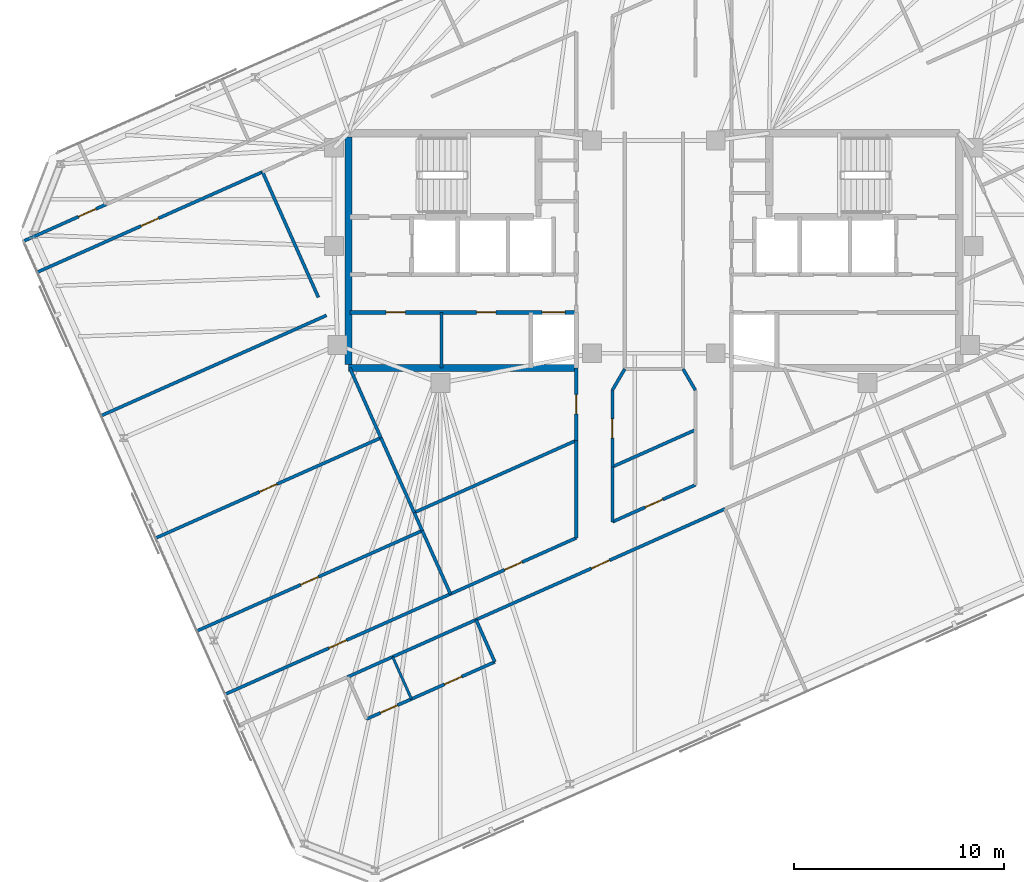
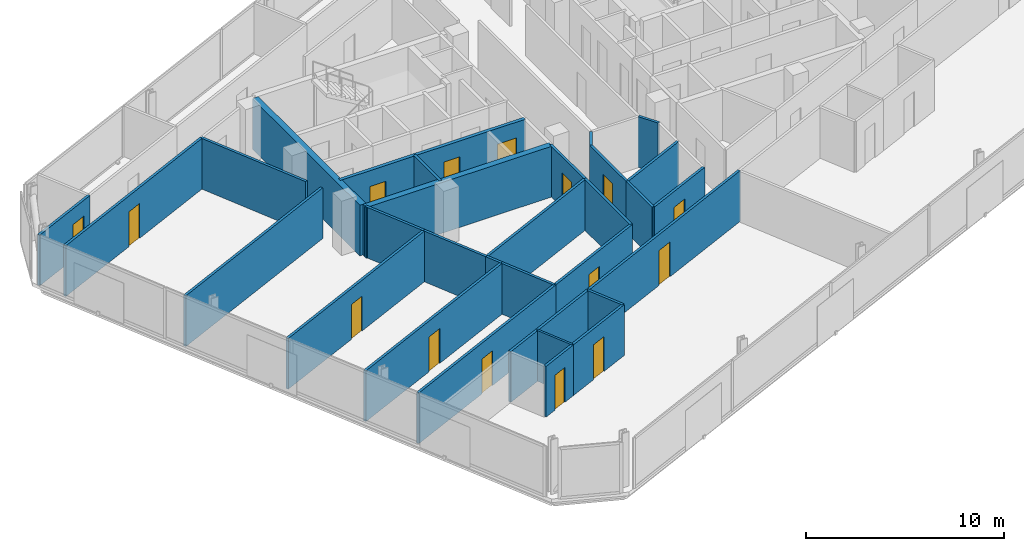
# One storey, part 13 of 18: 32 walls, 15 doors, 15 openings.
"""IFC4 building model written with IfcOpenShell, lengths in metres."""

from ifc_helpers import new_model, si_unit, direction, frame, frame_2d, origin, place, context, subcontext, project, spatial, rectangle, extrude, material, layer, layer_set, type_object, element, fill, save


model = new_model("IFC4")

# Units and contexts
model_context = context("Model", 3, precision=1e-05, world=origin(), true_north=direction((0.0, 1.0)))
body_context = subcontext(model_context, "Body", "Model", "MODEL_VIEW")
ifc_project = project(units=[si_unit("LENGTHUNIT", "METRE"), si_unit("AREAUNIT", "SQUARE_METRE"), si_unit("VOLUMEUNIT", "CUBIC_METRE"), si_unit("PLANEANGLEUNIT", "RADIAN"), si_unit("MASSUNIT", "GRAM", prefix="KILO")], contexts=[model_context])

# Site, building, storey
site_placement = place(None, origin())
site = spatial("IfcSite", under=ifc_project, at=site_placement, CompositionType="ELEMENT")
building_placement = place(site_placement, origin())
building = spatial("IfcBuilding", under=site, at=building_placement, Name="Menara Jurai Vektor", CompositionType="ELEMENT")
storey_placement = place(building_placement, frame((0.0, 0.0, 285.25)))
storey = spatial("IfcBuildingStorey", under=building, at=storey_placement, Name="L76", CompositionType="ELEMENT", Elevation=285.25)

# Wall
ifc_material_1 = material(Name="Gypsum Fireboard Partition", Category="gypsum")
ifc_layer_1 = layer(ifc_material_1, 0.14990234375)
ifc_layer_set_1 = layer_set([ifc_layer_1], Name="Gypsum Fireboard Partition")
wall_type_1 = type_object("IfcWallType", Name="INT-WALL-CORR-150", PredefinedType="PARTITIONING", material=ifc_layer_set_1)
wall_1_placement = place(storey_placement, frame((-10.1201171875, -5.60009765625, 0.0), z_axis=(0.0, 0.0, 1.0), x_axis=(0.0, 1.0, 0.0)))
element("IfcWall", 1, at=wall_1_placement, inside=storey, type_object=wall_type_1, Name="Interior Wall IW-150 L76", PredefinedType="PARTITIONING", context=body_context, shape_type="SweptSolid", body=[
    extrude(rectangle(XDim=2.650146484375, YDim=0.14990234375, at=frame_2d((1.3251953125, 0.0))), origin(), (0.0, 0.0, 1.0), 3.125),
])

# Wall, opening, door
wall_2_placement = place(storey_placement, frame((-8.481201171875, -17.605224609375, 0.0), z_axis=(0.0, 0.0, 1.0), x_axis=(0.913546352883, 0.406734632328, 0.0)))
wall_2 = element("IfcWall", 2, at=wall_2_placement, inside=storey, type_object=wall_type_1, Name="Interior Wall IW-150 L76", PredefinedType="PARTITIONING", context=body_context, shape_type="SweptSolid", body=[
    extrude(rectangle(XDim=12.992919921875, YDim=0.14990234375, at=frame_2d((6.49658203125, 0.0))), origin(), (0.0, 0.0, 1.0), 3.125),
])
opening_1_placement = place(wall_2_placement, frame((6.021484375, 0.0, 0.0)))
opening_1 = element("IfcOpeningElement", 3, at=opening_1_placement, cuts=wall_2, Name="Opening D76-13", PredefinedType="OPENING", context=body_context, shape_type="SweptSolid", body=[
    extrude(rectangle(XDim=0.949951171875, YDim=2.14990234375, at=frame_2d((0.47509765625, 1.074951171875))), frame((0.0, 0.0849609375, 0.0), z_axis=(0.0, -1.0, 0.0), x_axis=(1.0, 0.0, 0.0)), (0.0, 0.0, 1.0), 0.169921875),
])
ifc_material_2 = material(Name="Solid Core Timber Fire Door", Category="wood")
door_type_1 = type_object("IfcDoorType", Name="DR-ENTRY-950", OperationType="NOTDEFINED", PredefinedType="DOOR", material=ifc_material_2)
door_1_placement = place(opening_1_placement, origin())
door_1 = element("IfcDoor", 4, at=door_1_placement, inside=storey, type_object=door_type_1, Name="Interior Door D76-13", OperationType="SINGLE_SWING_LEFT", OverallHeight=2.14990234375, OverallWidth=0.949951171875, PredefinedType="DOOR", context=body_context, shape_type="SweptSolid", body=[
    extrude(rectangle(XDim=0.949951171875, YDim=2.14990234375, at=frame_2d((0.47509765625, 1.074951171875))), frame((0.0, 0.02490234375, 0.0), z_axis=(0.0, -1.0, 0.0), x_axis=(1.0, 0.0, 0.0)), (0.0, 0.0, 1.0), 0.050048828125),
])
fill(opening_1, door_1)

# Walls
wall_3_placement = place(storey_placement, frame((-14.601806640625, -20.33056640625, 0.0), z_axis=(0.0, 0.0, 1.0), x_axis=(0.913502828817, 0.406832375486, 0.0)))
element("IfcWall", 5, at=wall_3_placement, inside=storey, type_object=wall_type_1, Name="Interior Wall IW-150 L76", PredefinedType="PARTITIONING", context=body_context, shape_type="SweptSolid", body=[
    extrude(rectangle(XDim=2.35009765625, YDim=0.14990234375, at=frame_2d((1.175048828125, 0.0))), origin(), (0.0, 0.0, 1.0), 3.125),
])
wall_4_placement = place(storey_placement, frame((-12.455078125, -19.37451171875, 0.0), z_axis=(0.0, 0.0, 1.0), x_axis=(0.913545193015, 0.406737237438, 0.0)))
element("IfcWall", 6, at=wall_4_placement, inside=storey, type_object=wall_type_1, Name="Interior Wall IW-150 L76", PredefinedType="PARTITIONING", context=body_context, shape_type="SweptSolid", body=[
    extrude(rectangle(XDim=4.349853515625, YDim=0.14990234375, at=frame_2d((2.1748046875, 0.0))), origin(), (0.0, 0.0, 1.0), 3.125),
])

# Wall, opening, door
wall_5_placement = place(storey_placement, frame((-20.4453125, -21.15869140625, 0.0), z_axis=(0.0, 0.0, 1.0), x_axis=(0.913547681516, 0.406731648137, 0.0)))
wall_5 = element("IfcWall", 7, at=wall_5_placement, inside=storey, type_object=wall_type_1, Name="Interior Wall IW-150 L76", PredefinedType="PARTITIONING", context=body_context, shape_type="SweptSolid", body=[
    extrude(rectangle(XDim=11.760009765625, YDim=0.14990234375, at=frame_2d((5.8798828125, 0.0))), origin(), (0.0, 0.0, 1.0), 3.125),
])
opening_2_placement = place(wall_5_placement, frame((5.419921875, 0.0, 0.0)))
opening_2 = element("IfcOpeningElement", 8, at=opening_2_placement, cuts=wall_5, Name="Opening D76-19", PredefinedType="OPENING", context=body_context, shape_type="SweptSolid", body=[
    extrude(rectangle(XDim=0.919921875, YDim=2.14990234375, at=frame_2d((0.4599609375, 1.074951171875))), frame((0.0, 0.0849609375, 0.0), z_axis=(0.0, -1.0, 0.0), x_axis=(1.0, 0.0, 0.0)), (0.0, 0.0, 1.0), 0.169921875),
])
door_2_placement = place(opening_2_placement, origin())
door_2 = element("IfcDoor", 9, at=door_2_placement, inside=storey, type_object=door_type_1, Name="Interior Door D76-19", OperationType="SINGLE_SWING_LEFT", OverallHeight=2.14990234375, OverallWidth=0.919921875, PredefinedType="DOOR", context=body_context, shape_type="SweptSolid", body=[
    extrude(rectangle(XDim=0.919921875, YDim=2.14990234375, at=frame_2d((0.4599609375, 1.074951171875))), frame((0.0, 0.02490234375, 0.0), z_axis=(0.0, -1.0, 0.0), x_axis=(1.0, 0.0, 0.0)), (0.0, 0.0, 1.0), 0.050048828125),
])
fill(opening_2, door_2)

wall_6_placement = place(storey_placement, frame((-29.404296875, -1.0361328125, 0.0), z_axis=(0.0, 0.0, 1.0), x_axis=(0.913544247064, 0.406739362069, 0.0)))
wall_6 = element("IfcWall", 10, at=wall_6_placement, inside=storey, type_object=wall_type_1, Name="Interior Wall IW-150 L76", PredefinedType="PARTITIONING", context=body_context, shape_type="SweptSolid", body=[
    extrude(rectangle(XDim=11.759765625, YDim=0.14990234375, at=frame_2d((5.8798828125, 0.0))), origin(), (0.0, 0.0, 1.0), 3.125),
])
opening_3_placement = place(wall_6_placement, frame((5.419921875, 0.0, 0.0)))
opening_3 = element("IfcOpeningElement", 11, at=opening_3_placement, cuts=wall_6, Name="Opening D76-22", PredefinedType="OPENING", context=body_context, shape_type="SweptSolid", body=[
    extrude(rectangle(XDim=0.919921875, YDim=2.14990234375, at=frame_2d((0.4599609375, 1.074951171875))), frame((0.0, 0.0849609375, 0.0), z_axis=(0.0, -1.0, 0.0), x_axis=(1.0, 0.0, 0.0)), (0.0, 0.0, 1.0), 0.169921875),
])
door_3_placement = place(opening_3_placement, origin())
door_3 = element("IfcDoor", 12, at=door_3_placement, inside=storey, type_object=door_type_1, Name="Interior Door D76-22", OperationType="SINGLE_SWING_RIGHT", OverallHeight=2.14990234375, OverallWidth=0.919921875, PredefinedType="DOOR", context=body_context, shape_type="SweptSolid", body=[
    extrude(rectangle(XDim=0.919921875, YDim=2.14990234375, at=frame_2d((0.4599609375, 1.074951171875))), frame((0.0, 0.02490234375, 0.0), z_axis=(0.0, -1.0, 0.0), x_axis=(1.0, 0.0, 0.0)), (0.0, 0.0, 1.0), 0.050048828125),
])
fill(opening_3, door_3)

wall_7_placement = place(storey_placement, frame((-30.063232421875, 0.44384765625, 0.0), z_axis=(0.0, 0.0, 1.0), x_axis=(0.91352868173, 0.406774320302, 0.0)))
wall_7 = element("IfcWall", 13, at=wall_7_placement, inside=storey, type_object=wall_type_1, Name="Interior Wall IW-150 L76", PredefinedType="PARTITIONING", context=body_context, shape_type="SweptSolid", body=[
    extrude(rectangle(XDim=4.31005859375, YDim=0.14990234375, at=frame_2d((2.155029296875, 0.0))), origin(), (0.0, 0.0, 1.0), 3.125),
])
opening_4_placement = place(wall_7_placement, frame((2.866455078125, 0.0, 0.0)))
opening_4 = element("IfcOpeningElement", 14, at=opening_4_placement, cuts=wall_7, Name="Opening D76-23", PredefinedType="OPENING", context=body_context, shape_type="SweptSolid", body=[
    extrude(rectangle(XDim=0.919921875, YDim=2.14990234375, at=frame_2d((0.4599609375, 1.074951171875))), frame((0.0, 0.0849609375, 0.0), z_axis=(0.0, -1.0, 0.0), x_axis=(1.0, 0.0, 0.0)), (0.0, 0.0, 1.0), 0.169921875),
])
door_4_placement = place(opening_4_placement, origin())
door_4 = element("IfcDoor", 15, at=door_4_placement, inside=storey, type_object=door_type_1, Name="Interior Door D76-23", OperationType="SINGLE_SWING_LEFT", OverallHeight=2.14990234375, OverallWidth=0.919921875, PredefinedType="DOOR", context=body_context, shape_type="SweptSolid", body=[
    extrude(rectangle(XDim=0.919921875, YDim=2.14990234375, at=frame_2d((0.4599609375, 1.074951171875))), frame((0.0, 0.02490234375, 0.0), z_axis=(0.0, -1.0, 0.0), x_axis=(1.0, 0.0, 0.0)), (0.0, 0.0, 1.0), 0.050048828125),
])
fill(opening_4, door_4)

# Wall
wall_8_placement = place(storey_placement, frame((-1.979736328125, -12.9375, 0.0), z_axis=(0.0, 0.0, 1.0), x_axis=(-9.3049223e-05, 0.999999995671, 0.0)))
element("IfcWall", 16, at=wall_8_placement, inside=storey, type_object=wall_type_1, Name="Interior Wall IW-150 L76", PredefinedType="PARTITIONING", context=body_context, shape_type="SweptSolid", body=[
    extrude(rectangle(XDim=2.623779296875, YDim=0.14990234375, at=frame_2d((1.31201171875, 0.0))), origin(), (0.0, 0.0, 1.0), 3.125),
])

# Wall, opening, door
wall_9_placement = place(storey_placement, frame((-1.979736328125, -12.9375, 0.0), z_axis=(0.0, 0.0, 1.0), x_axis=(0.913530252303, 0.406770793111, 0.0)))
wall_9 = element("IfcWall", 17, at=wall_9_placement, inside=storey, type_object=wall_type_1, Name="Interior Wall IW-150 L76", PredefinedType="PARTITIONING", context=body_context, shape_type="SweptSolid", body=[
    extrude(rectangle(XDim=4.333984375, YDim=0.14990234375, at=frame_2d((2.1669921875, 0.0))), origin(), (0.0, 0.0, 1.0), 3.125),
])
opening_5_placement = place(wall_9_placement, frame((1.70703125, 0.0, 0.0)))
opening_5 = element("IfcOpeningElement", 18, at=opening_5_placement, cuts=wall_9, Name="Opening D76-27", PredefinedType="OPENING", context=body_context, shape_type="SweptSolid", body=[
    extrude(rectangle(XDim=0.919921875, YDim=2.14990234375, at=frame_2d((0.4599609375, 1.074951171875))), frame((0.0, 0.0849609375, 0.0), z_axis=(0.0, -1.0, 0.0), x_axis=(1.0, 0.0, 0.0)), (0.0, 0.0, 1.0), 0.169921875),
])
door_5_placement = place(opening_5_placement, origin())
door_5 = element("IfcDoor", 19, at=door_5_placement, inside=storey, type_object=door_type_1, Name="Interior Door D76-27", OperationType="SINGLE_SWING_LEFT", OverallHeight=2.14990234375, OverallWidth=0.919921875, PredefinedType="DOOR", context=body_context, shape_type="SweptSolid", body=[
    extrude(rectangle(XDim=0.919921875, YDim=2.14990234375, at=frame_2d((0.4599609375, 1.074951171875))), frame((0.0, 0.02490234375, 0.0), z_axis=(0.0, -1.0, 0.0), x_axis=(1.0, 0.0, 0.0)), (0.0, 0.0, 1.0), 0.050048828125),
])
fill(opening_5, door_5)

wall_10_placement = place(storey_placement, frame((-1.97998046875, -10.313720703125, 0.0), z_axis=(0.0, 0.0, 1.0), x_axis=(0.0, 1.0, 0.0)))
wall_10 = element("IfcWall", 20, at=wall_10_placement, inside=storey, type_object=wall_type_1, Name="Interior Wall IW-150 L76", PredefinedType="PARTITIONING", context=body_context, shape_type="SweptSolid", body=[
    extrude(rectangle(XDim=3.656005859375, YDim=0.14990234375, at=frame_2d((1.828125, 0.0))), origin(), (0.0, 0.0, 1.0), 3.125),
])
opening_6_placement = place(wall_10_placement, frame((1.367919921875, 0.0, 0.0)))
opening_6 = element("IfcOpeningElement", 21, at=opening_6_placement, cuts=wall_10, Name="Opening D76-28", PredefinedType="OPENING", context=body_context, shape_type="SweptSolid", body=[
    extrude(rectangle(XDim=0.919921875, YDim=2.14990234375, at=frame_2d((0.4599609375, 1.074951171875))), frame((0.0, 0.0849609375, 0.0), z_axis=(0.0, -1.0, 0.0), x_axis=(1.0, 0.0, 0.0)), (0.0, 0.0, 1.0), 0.169921875),
])
door_6_placement = place(opening_6_placement, origin())
door_6 = element("IfcDoor", 22, at=door_6_placement, inside=storey, type_object=door_type_1, Name="Interior Door D76-28", OperationType="SINGLE_SWING_RIGHT", OverallHeight=2.14990234375, OverallWidth=0.919921875, PredefinedType="DOOR", context=body_context, shape_type="SweptSolid", body=[
    extrude(rectangle(XDim=0.919921875, YDim=2.14990234375, at=frame_2d((0.4599609375, 1.074951171875))), frame((0.0, 0.02490234375, 0.0), z_axis=(0.0, -1.0, 0.0), x_axis=(1.0, 0.0, 0.0)), (0.0, 0.0, 1.0), 0.050048828125),
])
fill(opening_6, door_6)

# Walls
wall_11_placement = place(storey_placement, frame((-1.97998046875, -6.65771484375, 0.0), z_axis=(0.0, 0.0, 1.0), x_axis=(0.504651025514, 0.863323428645, 0.0)))
element("IfcWall", 23, at=wall_11_placement, inside=storey, type_object=wall_type_1, Name="Interior Wall IW-150 L76", PredefinedType="PARTITIONING", context=body_context, shape_type="SweptSolid", body=[
    extrude(rectangle(XDim=1.16748046875, YDim=0.14990234375, at=frame_2d((0.583740234375, 0.0))), origin(), (0.0, 0.0, 1.0), 3.125),
])
wall_12_placement = place(storey_placement, frame((1.390869140625, -5.650390625, 0.0), z_axis=(0.0, 0.0, 1.0), x_axis=(0.504339173621, -0.863505644424, 0.0)))
element("IfcWall", 24, at=wall_12_placement, inside=storey, type_object=wall_type_1, Name="Interior Wall IW-150 L76", PredefinedType="PARTITIONING", context=body_context, shape_type="SweptSolid", body=[
    extrude(rectangle(XDim=1.167236328125, YDim=0.14990234375, at=frame_2d((0.58349609375, 0.0))), origin(), (0.0, 0.0, 1.0), 3.125),
])

# Wall, opening, door
wall_13_placement = place(storey_placement, frame((-9.701904296875, -16.37548828125, 0.0), z_axis=(0.0, 0.0, 1.0), x_axis=(0.913552389019, 0.406721074594, 0.0)))
wall_13 = element("IfcWall", 25, at=wall_13_placement, inside=storey, type_object=wall_type_1, Name="Interior Wall IW-150 L76", PredefinedType="PARTITIONING", context=body_context, shape_type="SweptSolid", body=[
    extrude(rectangle(XDim=6.56982421875, YDim=0.14990234375, at=frame_2d((3.284912109375, 0.0))), origin(), (0.0, 0.0, 1.0), 3.125),
])
opening_7_placement = place(wall_13_placement, frame((2.824951171875, 0.0, 0.0)))
opening_7 = element("IfcOpeningElement", 26, at=opening_7_placement, cuts=wall_13, Name="Opening D76-31", PredefinedType="OPENING", context=body_context, shape_type="SweptSolid", body=[
    extrude(rectangle(XDim=0.919921875, YDim=2.14990234375, at=frame_2d((0.4599609375, 1.074951171875))), frame((0.0, 0.0849609375, 0.0), z_axis=(0.0, -1.0, 0.0), x_axis=(1.0, 0.0, 0.0)), (0.0, 0.0, 1.0), 0.169921875),
])
door_7_placement = place(opening_7_placement, origin())
door_7 = element("IfcDoor", 27, at=door_7_placement, inside=storey, type_object=door_type_1, Name="Interior Door D76-31", OperationType="SINGLE_SWING_LEFT", OverallHeight=2.14990234375, OverallWidth=0.919921875, PredefinedType="DOOR", context=body_context, shape_type="SweptSolid", body=[
    extrude(rectangle(XDim=0.919921875, YDim=2.14990234375, at=frame_2d((0.4599609375, 1.074951171875))), frame((0.0, 0.02490234375, 0.0), z_axis=(0.0, -1.0, 0.0), x_axis=(1.0, 0.0, 0.0)), (0.0, 0.0, 1.0), 0.050048828125),
])
fill(opening_7, door_7)

# Wall
wall_14_placement = place(storey_placement, frame((-3.699951171875, -13.703369140625, 0.0), z_axis=(0.0, 0.0, 1.0), x_axis=(5.2512734e-05, 0.999999998621, 0.0)))
element("IfcWall", 28, at=wall_14_placement, inside=storey, type_object=wall_type_1, Name="Interior Wall IW-150 L76", PredefinedType="PARTITIONING", context=body_context, shape_type="SweptSolid", body=[
    extrude(rectangle(XDim=4.649169921875, YDim=0.14990234375, at=frame_2d((2.32470703125, 0.0))), origin(), (0.0, 0.0, 1.0), 3.125),
])

# Wall, opening, door
wall_15_placement = place(storey_placement, frame((-3.69970703125, -9.05419921875, 0.0), z_axis=(0.0, 0.0, 1.0), x_axis=(-7.0671378e-05, 0.999999997503, 0.0)))
wall_15 = element("IfcWall", 29, at=wall_15_placement, inside=storey, type_object=wall_type_1, Name="Interior Wall IW-150 L76", PredefinedType="PARTITIONING", context=body_context, shape_type="SweptSolid", body=[
    extrude(rectangle(XDim=3.45458984375, YDim=0.14990234375, at=frame_2d((1.727294921875, 0.0))), origin(), (0.0, 0.0, 1.0), 3.125),
])
opening_8_placement = place(wall_15_placement, frame((1.267333984375, 0.0, 0.0)))
opening_8 = element("IfcOpeningElement", 30, at=opening_8_placement, cuts=wall_15, Name="Opening D76-32", PredefinedType="OPENING", context=body_context, shape_type="SweptSolid", body=[
    extrude(rectangle(XDim=0.919921875, YDim=2.14990234375, at=frame_2d((0.4599609375, 1.074951171875))), frame((0.0, 0.0849609375, 0.0), z_axis=(0.0, -1.0, 0.0), x_axis=(1.0, 0.0, 0.0)), (0.0, 0.0, 1.0), 0.169921875),
])
door_8_placement = place(opening_8_placement, origin())
door_8 = element("IfcDoor", 31, at=door_8_placement, inside=storey, type_object=door_type_1, Name="Interior Door D76-32", OperationType="SINGLE_SWING_RIGHT", OverallHeight=2.14990234375, OverallWidth=0.919921875, PredefinedType="DOOR", context=body_context, shape_type="SweptSolid", body=[
    extrude(rectangle(XDim=0.919921875, YDim=2.14990234375, at=frame_2d((0.4599609375, 1.074951171875))), frame((0.0, 0.02490234375, 0.0), z_axis=(0.0, -1.0, 0.0), x_axis=(1.0, 0.0, 0.0)), (0.0, 0.0, 1.0), 0.050048828125),
])
fill(opening_8, door_8)

wall_16_placement = place(storey_placement, frame((-13.70703125, -22.34033203125, 0.0), z_axis=(0.0, 0.0, 1.0), x_axis=(0.913541436194, 0.406745675276, 0.0)))
wall_16 = element("IfcWall", 32, at=wall_16_placement, inside=storey, type_object=wall_type_1, Name="Interior Wall IW-150 L76", PredefinedType="PARTITIONING", context=body_context, shape_type="SweptSolid", body=[
    extrude(rectangle(XDim=2.349853515625, YDim=0.14990234375, at=frame_2d((1.1748046875, 0.0))), origin(), (0.0, 0.0, 1.0), 3.125),
])
opening_9_placement = place(wall_16_placement, frame((0.735107421875, 0.0, 0.0)))
opening_9 = element("IfcOpeningElement", 33, at=opening_9_placement, cuts=wall_16, Name="Opening D76-14", PredefinedType="OPENING", context=body_context, shape_type="SweptSolid", body=[
    extrude(rectangle(XDim=0.8798828125, YDim=2.14990234375, at=frame_2d((0.43994140625, 1.074951171875))), frame((0.0, 0.0849609375, 0.0), z_axis=(0.0, -1.0, 0.0), x_axis=(1.0, 0.0, 0.0)), (0.0, 0.0, 1.0), 0.169921875),
])
ifc_material_3 = material(Name="Moisture-Resistant Timber Door", Category="wood")
door_type_2 = type_object("IfcDoorType", Name="DR-BATH-880", OperationType="NOTDEFINED", PredefinedType="DOOR", material=ifc_material_3)
door_9_placement = place(opening_9_placement, origin())
door_9 = element("IfcDoor", 34, at=door_9_placement, inside=storey, type_object=door_type_2, Name="Interior Door D76-14", OperationType="SINGLE_SWING_RIGHT", OverallHeight=2.14990234375, OverallWidth=0.8798828125, PredefinedType="DOOR", context=body_context, shape_type="SweptSolid", body=[
    extrude(rectangle(XDim=0.8798828125, YDim=2.14990234375, at=frame_2d((0.43994140625, 1.074951171875))), frame((0.0, 0.02490234375, 0.0), z_axis=(0.0, -1.0, 0.0), x_axis=(1.0, 0.0, 0.0)), (0.0, 0.0, 1.0), 0.050048828125),
])
fill(opening_9, door_9)

wall_17_placement = place(storey_placement, frame((-11.560302734375, -21.384521484375, 0.0), z_axis=(0.0, 0.0, 1.0), x_axis=(0.913533624044, 0.406763220732, 0.0)))
wall_17 = element("IfcWall", 35, at=wall_17_placement, inside=storey, type_object=wall_type_1, Name="Interior Wall IW-150 L76", PredefinedType="PARTITIONING", context=body_context, shape_type="SweptSolid", body=[
    extrude(rectangle(XDim=4.350341796875, YDim=0.14990234375, at=frame_2d((2.17529296875, 0.0))), origin(), (0.0, 0.0, 1.0), 3.125),
])
opening_10_placement = place(wall_17_placement, frame((1.72509765625, 0.0, 0.0)))
opening_10 = element("IfcOpeningElement", 36, at=opening_10_placement, cuts=wall_17, Name="Opening D76-15", PredefinedType="OPENING", context=body_context, shape_type="SweptSolid", body=[
    extrude(rectangle(XDim=0.89990234375, YDim=2.14990234375, at=frame_2d((0.449951171875, 1.074951171875))), frame((0.0, 0.0849609375, 0.0), z_axis=(0.0, -1.0, 0.0), x_axis=(1.0, 0.0, 0.0)), (0.0, 0.0, 1.0), 0.169921875),
])
ifc_material_4 = material(Name="Acoustic Timber Interior Door", Category="wood")
door_type_3 = type_object("IfcDoorType", Name="DR-ROOM-900", OperationType="NOTDEFINED", PredefinedType="DOOR", material=ifc_material_4)
door_10_placement = place(opening_10_placement, origin())
door_10 = element("IfcDoor", 37, at=door_10_placement, inside=storey, type_object=door_type_3, Name="Interior Door D76-15", OperationType="SINGLE_SWING_LEFT", OverallHeight=2.14990234375, OverallWidth=0.89990234375, PredefinedType="DOOR", context=body_context, shape_type="SweptSolid", body=[
    extrude(rectangle(XDim=0.89990234375, YDim=2.14990234375, at=frame_2d((0.449951171875, 1.074951171875))), frame((0.0, 0.02490234375, 0.0), z_axis=(0.0, -1.0, 0.0), x_axis=(1.0, 0.0, 0.0)), (0.0, 0.0, 1.0), 0.050048828125),
])
fill(opening_10, door_10)

# Wall
wall_18_placement = place(storey_placement, frame((-7.586181640625, -19.614990234375, 0.0), z_axis=(0.0, 0.0, 1.0), x_axis=(-0.406817905151, 0.913509273105, 0.0)))
element("IfcWall", 38, at=wall_18_placement, inside=storey, type_object=wall_type_1, Name="Interior Wall IW-150 L76", PredefinedType="PARTITIONING", context=body_context, shape_type="SweptSolid", body=[
    extrude(rectangle(XDim=2.199951171875, YDim=0.14990234375, at=frame_2d((1.10009765625, 0.0))), origin(), (0.0, 0.0, 1.0), 3.125),
])

# Wall, opening, door
wall_19_placement = place(storey_placement, frame((-21.7890625, -18.140380859375, 0.0), z_axis=(0.0, 0.0, 1.0), x_axis=(0.913544247064, 0.406739362069, 0.0)))
wall_19 = element("IfcWall", 39, at=wall_19_placement, inside=storey, type_object=wall_type_1, Name="Interior Wall IW-150 L76", PredefinedType="PARTITIONING", context=body_context, shape_type="SweptSolid", body=[
    extrude(rectangle(XDim=11.759765625, YDim=0.14990234375, at=frame_2d((5.8798828125, 0.0))), origin(), (0.0, 0.0, 1.0), 3.125),
])
opening_11_placement = place(wall_19_placement, frame((5.419921875, 0.0, 0.0)))
opening_11 = element("IfcOpeningElement", 40, at=opening_11_placement, cuts=wall_19, Name="Opening D76-20", PredefinedType="OPENING", context=body_context, shape_type="SweptSolid", body=[
    extrude(rectangle(XDim=0.919921875, YDim=2.14990234375, at=frame_2d((0.4599609375, 1.074951171875))), frame((0.0, 0.0849609375, 0.0), z_axis=(0.0, -1.0, 0.0), x_axis=(1.0, 0.0, 0.0)), (0.0, 0.0, 1.0), 0.169921875),
])
door_11_placement = place(opening_11_placement, origin())
door_11 = element("IfcDoor", 41, at=door_11_placement, inside=storey, type_object=door_type_1, Name="Interior Door D76-20", OperationType="SINGLE_SWING_RIGHT", OverallHeight=2.14990234375, OverallWidth=0.919921875, PredefinedType="DOOR", context=body_context, shape_type="SweptSolid", body=[
    extrude(rectangle(XDim=0.919921875, YDim=2.14990234375, at=frame_2d((0.4599609375, 1.074951171875))), frame((0.0, 0.02490234375, 0.0), z_axis=(0.0, -1.0, 0.0), x_axis=(1.0, 0.0, 0.0)), (0.0, 0.0, 1.0), 0.050048828125),
])
fill(opening_11, door_11)

# Wall
wall_20_placement = place(storey_placement, frame((-9.701904296875, -16.37548828125, 0.0), z_axis=(0.0, 0.0, 1.0), x_axis=(-0.406775972158, 0.913527946193, 0.0)))
element("IfcWall", 42, at=wall_20_placement, inside=storey, type_object=wall_type_1, Name="Interior Wall IW-150 L76", PredefinedType="PARTITIONING", context=body_context, shape_type="SweptSolid", body=[
    extrude(rectangle(XDim=3.303955078125, YDim=0.14990234375, at=frame_2d((1.65185546875, 0.0))), origin(), (0.0, 0.0, 1.0), 3.125),
])

# Wall, opening, door
wall_21_placement = place(storey_placement, frame((-23.760009765625, -13.71337890625, 0.0), z_axis=(0.0, 0.0, 1.0), x_axis=(0.913544247064, 0.406739362069, 0.0)))
wall_21 = element("IfcWall", 43, at=wall_21_placement, inside=storey, type_object=wall_type_1, Name="Interior Wall IW-150 L76", PredefinedType="PARTITIONING", context=body_context, shape_type="SweptSolid", body=[
    extrude(rectangle(XDim=11.759765625, YDim=0.14990234375, at=frame_2d((5.8798828125, 0.0))), origin(), (0.0, 0.0, 1.0), 3.125),
])
opening_12_placement = place(wall_21_placement, frame((5.419921875, 0.0, 0.0)))
opening_12 = element("IfcOpeningElement", 44, at=opening_12_placement, cuts=wall_21, Name="Opening D76-21", PredefinedType="OPENING", context=body_context, shape_type="SweptSolid", body=[
    extrude(rectangle(XDim=0.919921875, YDim=2.14990234375, at=frame_2d((0.4599609375, 1.074951171875))), frame((0.0, 0.0849609375, 0.0), z_axis=(0.0, -1.0, 0.0), x_axis=(1.0, 0.0, 0.0)), (0.0, 0.0, 1.0), 0.169921875),
])
door_12_placement = place(opening_12_placement, origin())
door_12 = element("IfcDoor", 45, at=door_12_placement, inside=storey, type_object=door_type_1, Name="Interior Door D76-21", OperationType="SINGLE_SWING_LEFT", OverallHeight=2.14990234375, OverallWidth=0.919921875, PredefinedType="DOOR", context=body_context, shape_type="SweptSolid", body=[
    extrude(rectangle(XDim=0.919921875, YDim=2.14990234375, at=frame_2d((0.4599609375, 1.074951171875))), frame((0.0, 0.02490234375, 0.0), z_axis=(0.0, -1.0, 0.0), x_axis=(1.0, 0.0, 0.0)), (0.0, 0.0, 1.0), 0.050048828125),
])
fill(opening_12, door_12)

# Walls
wall_22_placement = place(storey_placement, frame((-11.0458984375, -13.357177734375, 0.0), z_axis=(0.0, 0.0, 1.0), x_axis=(-0.406474743084, 0.913662018054, 0.0)))
element("IfcWall", 46, at=wall_22_placement, inside=storey, type_object=wall_type_1, Name="Interior Wall IW-150 L76", PredefinedType="PARTITIONING", context=body_context, shape_type="SweptSolid", body=[
    extrude(rectangle(XDim=0.94287109375, YDim=0.14990234375, at=frame_2d((0.471435546875, 0.0))), origin(), (0.0, 0.0, 1.0), 3.125),
])
wall_23_placement = place(storey_placement, frame((-11.42919921875, -12.49560546875, 0.0), z_axis=(0.0, 0.0, 1.0), x_axis=(-0.406782597231, 0.91352499615, 0.0)))
element("IfcWall", 47, at=wall_23_placement, inside=storey, type_object=wall_type_1, Name="Interior Wall IW-150 L76", PredefinedType="PARTITIONING", context=body_context, shape_type="SweptSolid", body=[
    extrude(rectangle(XDim=3.90283203125, YDim=0.14990234375, at=frame_2d((1.951416015625, 0.0))), origin(), (0.0, 0.0, 1.0), 3.125),
])
wall_24_placement = place(storey_placement, frame((-26.3583984375, -7.877685546875, 0.0), z_axis=(0.0, 0.0, 1.0), x_axis=(0.913547681516, 0.406731648137, 0.0)))
element("IfcWall", 48, at=wall_24_placement, inside=storey, type_object=wall_type_1, Name="Interior Wall IW-150 L76", PredefinedType="PARTITIONING", context=body_context, shape_type="SweptSolid", body=[
    extrude(rectangle(XDim=11.760009765625, YDim=0.14990234375, at=frame_2d((5.8798828125, 0.0))), origin(), (0.0, 0.0, 1.0), 3.125),
])
wall_25_placement = place(storey_placement, frame((-13.016845703125, -8.93017578125, 0.0), z_axis=(0.0, 0.0, 1.0), x_axis=(-0.406722395322, 0.913551801018, 0.0)))
element("IfcWall", 49, at=wall_25_placement, inside=storey, type_object=wall_type_1, Name="Interior Wall IW-150 L76", PredefinedType="PARTITIONING", context=body_context, shape_type="SweptSolid", body=[
    extrude(rectangle(XDim=3.64599609375, YDim=0.14990234375, at=frame_2d((1.822998046875, 0.0))), origin(), (0.0, 0.0, 1.0), 3.125),
])
wall_26_placement = place(storey_placement, frame((-15.997802734375, -2.23486328125, 0.0), z_axis=(0.0, 0.0, 1.0), x_axis=(-0.406736853191, 0.913545364093, 0.0)))
element("IfcWall", 50, at=wall_26_placement, inside=storey, type_object=wall_type_1, Name="Interior Wall IW-150 L76", PredefinedType="PARTITIONING", context=body_context, shape_type="SweptSolid", body=[
    extrude(rectangle(XDim=6.548095703125, YDim=0.14990234375, at=frame_2d((3.27392578125, 0.0))), origin(), (0.0, 0.0, 1.0), 3.125),
])
wall_27_placement = place(storey_placement, frame((-1.97998046875, -10.313720703125, 0.0), z_axis=(0.0, 0.0, 1.0), x_axis=(0.913539572356, 0.406749861388, 0.0)))
element("IfcWall", 51, at=wall_27_placement, inside=storey, type_object=wall_type_1, Name="Interior Wall IW-150 L76", PredefinedType="PARTITIONING", context=body_context, shape_type="SweptSolid", body=[
    extrude(rectangle(XDim=4.334228515625, YDim=0.14990234375, at=frame_2d((2.1669921875, 0.0))), origin(), (0.0, 0.0, 1.0), 3.125),
])
wall_28_placement = place(storey_placement, frame((-11.42919921875, -12.49560546875, 0.0), z_axis=(0.0, 0.0, 1.0), x_axis=(0.913544816238, 0.406738083692, 0.0)))
element("IfcWall", 52, at=wall_28_placement, inside=storey, type_object=wall_type_1, Name="Interior Wall IW-150 L76", PredefinedType="PARTITIONING", context=body_context, shape_type="SweptSolid", body=[
    extrude(rectangle(XDim=8.4609375, YDim=0.14990234375, at=frame_2d((4.23046875, 0.0))), origin(), (0.0, 0.0, 1.0), 3.125),
])
ifc_material_5 = material(Name="Gypsum Acoustic Stud Partition", Category="gypsum")
ifc_layer_2 = layer(ifc_material_5, 0.1201171875)
ifc_layer_set_2 = layer_set([ifc_layer_2], Name="Gypsum Acoustic Stud Partition")
wall_type_2 = type_object("IfcWallType", Name="INT-WALL-PART-120", PredefinedType="PARTITIONING", material=ifc_layer_set_2)
wall_29_placement = place(storey_placement, frame((-11.560302734375, -21.384521484375, 0.0), z_axis=(0.0, 0.0, 1.0), x_axis=(-0.406684063321, 0.913568865845, 0.0)))
element("IfcWall", 53, at=wall_29_placement, inside=storey, type_object=wall_type_2, Name="Interior Wall IW-120 L76", PredefinedType="PARTITIONING", context=body_context, shape_type="SweptSolid", body=[
    extrude(rectangle(XDim=2.2001953125, YDim=0.1201171875, at=frame_2d((1.10009765625, 0.0))), origin(), (0.0, 0.0, 1.0), 3.125),
])

# Wall, openings, doors
ifc_material_6 = material(Name="Concrete C40/50", Category="concrete")
ifc_layer_3 = layer(ifc_material_6, 0.199951171875)
ifc_layer_set_3 = layer_set([ifc_layer_3], Name="Concrete C40/50")
wall_type_3 = type_object("IfcWallType", Name="INT-WALL-SHAFT-200", PredefinedType="STANDARD", material=ifc_layer_set_3)
wall_30_placement = place(storey_placement, frame((-14.5, -2.949951171875, 0.0), z_axis=(0.0, 0.0, 1.0), x_axis=(1.0, 0.0, 0.0)))
wall_30 = element("IfcWall", 54, at=wall_30_placement, inside=storey, type_object=wall_type_3, Name="Interior Wall IW-200 L76", PredefinedType="STANDARD", context=body_context, shape_type="SweptSolid", body=[
    extrude(rectangle(XDim=10.800048828125, YDim=0.199951171875, at=frame_2d((5.39990234375, 0.0))), origin(), (0.0, 0.0, 1.0), 3.125),
])
opening_13_placement = place(wall_30_placement, frame((9.169921875, 0.0, 0.0)))
opening_13 = element("IfcOpeningElement", 55, at=opening_13_placement, cuts=wall_30, Name="Opening LD-L76-PH1", PredefinedType="OPENING", context=body_context, shape_type="SweptSolid", body=[
    extrude(rectangle(XDim=1.10009765625, YDim=2.14990234375, at=frame_2d((0.550048828125, 1.074951171875))), frame((0.0, 0.10986328125, 0.0), z_axis=(0.0, -1.0, 0.0), x_axis=(1.0, 0.0, 0.0)), (0.0, 0.0, 1.0), 0.219970703125),
])
opening_14_placement = place(wall_30_placement, frame((1.72998046875, 0.0, 0.0)))
opening_14 = element("IfcOpeningElement", 56, at=opening_14_placement, cuts=wall_30, Name="Opening D76-01", PredefinedType="OPENING", context=body_context, shape_type="SweptSolid", body=[
    extrude(rectangle(XDim=0.919921875, YDim=2.14990234375, at=frame_2d((0.4599609375, 1.074951171875))), frame((0.0, 0.10986328125, 0.0), z_axis=(0.0, -1.0, 0.0), x_axis=(1.0, 0.0, 0.0)), (0.0, 0.0, 1.0), 0.219970703125),
])
opening_15_placement = place(wall_30_placement, frame((6.050048828125, 0.0, 0.0)))
opening_15 = element("IfcOpeningElement", 57, at=opening_15_placement, cuts=wall_30, Name="Opening D76-02", PredefinedType="OPENING", context=body_context, shape_type="SweptSolid", body=[
    extrude(rectangle(XDim=0.919921875, YDim=2.14990234375, at=frame_2d((0.4599609375, 1.074951171875))), frame((0.0, 0.10986328125, 0.0), z_axis=(0.0, -1.0, 0.0), x_axis=(1.0, 0.0, 0.0)), (0.0, 0.0, 1.0), 0.219970703125),
])
door_13_placement = place(opening_14_placement, origin())
door_13 = element("IfcDoor", 58, at=door_13_placement, inside=storey, type_object=door_type_1, Name="Interior Door D76-01", OperationType="SINGLE_SWING_LEFT", OverallHeight=2.14990234375, OverallWidth=0.919921875, PredefinedType="DOOR", context=body_context, shape_type="SweptSolid", body=[
    extrude(rectangle(XDim=0.919921875, YDim=2.14990234375, at=frame_2d((0.4599609375, 1.074951171875))), frame((0.0, 0.02490234375, 0.0), z_axis=(0.0, -1.0, 0.0), x_axis=(1.0, 0.0, 0.0)), (0.0, 0.0, 1.0), 0.050048828125),
])
fill(opening_14, door_13)
door_14_placement = place(opening_15_placement, origin())
door_14 = element("IfcDoor", 59, at=door_14_placement, inside=storey, type_object=door_type_1, Name="Interior Door D76-02", OperationType="SINGLE_SWING_RIGHT", OverallHeight=2.14990234375, OverallWidth=0.919921875, PredefinedType="DOOR", context=body_context, shape_type="SweptSolid", body=[
    extrude(rectangle(XDim=0.919921875, YDim=2.14990234375, at=frame_2d((0.4599609375, 1.074951171875))), frame((0.0, 0.02490234375, 0.0), z_axis=(0.0, -1.0, 0.0), x_axis=(1.0, 0.0, 0.0)), (0.0, 0.0, 1.0), 0.050048828125),
])
fill(opening_15, door_14)
ifc_material_7 = material(Name="Anodised Stainless Sliding Lift Landing Door", Category="steel")
door_type_4 = type_object("IfcDoorType", Name="DR-LIFT-PASS-1100", OperationType="NOTDEFINED", PredefinedType="DOOR", material=ifc_material_7)
door_15_placement = place(opening_13_placement, origin())
door_15 = element("IfcDoor", 60, at=door_15_placement, inside=storey, type_object=door_type_4, Name="Lift Landing Door PH1 L76", OperationType="SLIDING_TO_RIGHT", OverallHeight=2.14990234375, OverallWidth=1.10009765625, PredefinedType="DOOR", context=body_context, shape_type="SweptSolid", body=[
    extrude(rectangle(XDim=1.10009765625, YDim=2.14990234375, at=frame_2d((0.550048828125, 1.074951171875))), frame((0.0, 0.02490234375, 0.0), z_axis=(0.0, -1.0, 0.0), x_axis=(1.0, 0.0, 0.0)), (0.0, 0.0, 1.0), 0.050048828125),
])
fill(opening_13, door_15)

# Walls
ifc_material_8 = material(Name="Concrete C50/60", Category="concrete")
ifc_layer_4 = layer(ifc_material_8, 0.35009765625)
ifc_layer_set_4 = layer_set([ifc_layer_4], Name="Concrete C50/60")
wall_type_4 = type_object("IfcWallType", Name="STR-WALL-CORE350", PredefinedType="SHEAR", material=ifc_layer_set_4)
wall_31_placement = place(storey_placement, frame((-14.56005859375, -5.60009765625, 0.0), z_axis=(0.0, 0.0, 1.0), x_axis=(1.0, 0.0, 0.0)))
element("IfcWall", 61, at=wall_31_placement, inside=storey, type_object=wall_type_4, Name="Core Shear Wall CW-W-S L76", PredefinedType="SHEAR", context=body_context, shape_type="SweptSolid", body=[
    extrude(rectangle(XDim=10.860107421875, YDim=0.35009765625, at=frame_2d((5.43017578125, 0.0))), origin(), (0.0, 0.0, 1.0), 3.125),
])
wall_32_placement = place(storey_placement, frame((-14.56005859375, -5.425048828125, 0.0), z_axis=(0.0, 0.0, 1.0), x_axis=(0.0, 1.0, 0.0)))
element("IfcWall", 62, at=wall_32_placement, inside=storey, type_object=wall_type_4, Name="Core Shear Wall CW-W-W L76", PredefinedType="SHEAR", context=body_context, shape_type="SweptSolid", body=[
    extrude(rectangle(XDim=10.85009765625, YDim=0.35009765625, at=frame_2d((5.425048828125, 0.0))), origin(), (0.0, 0.0, 1.0), 3.125),
])

save(model, "model.ifc")
